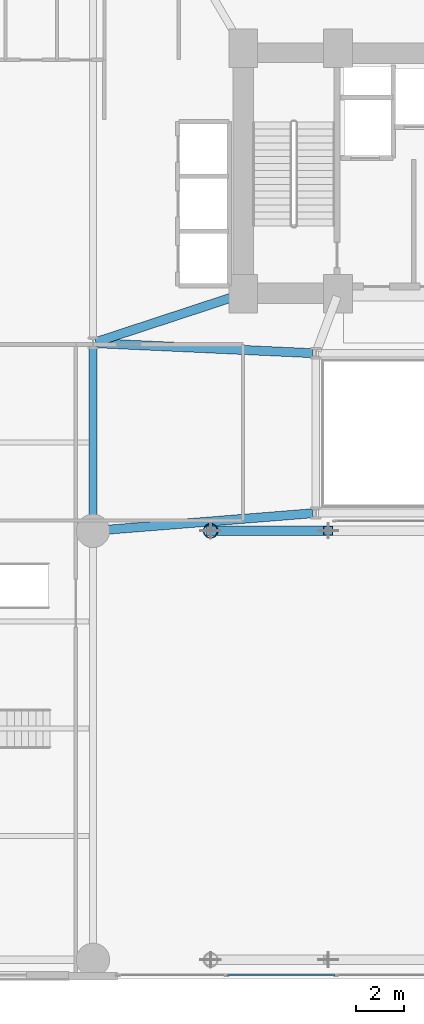
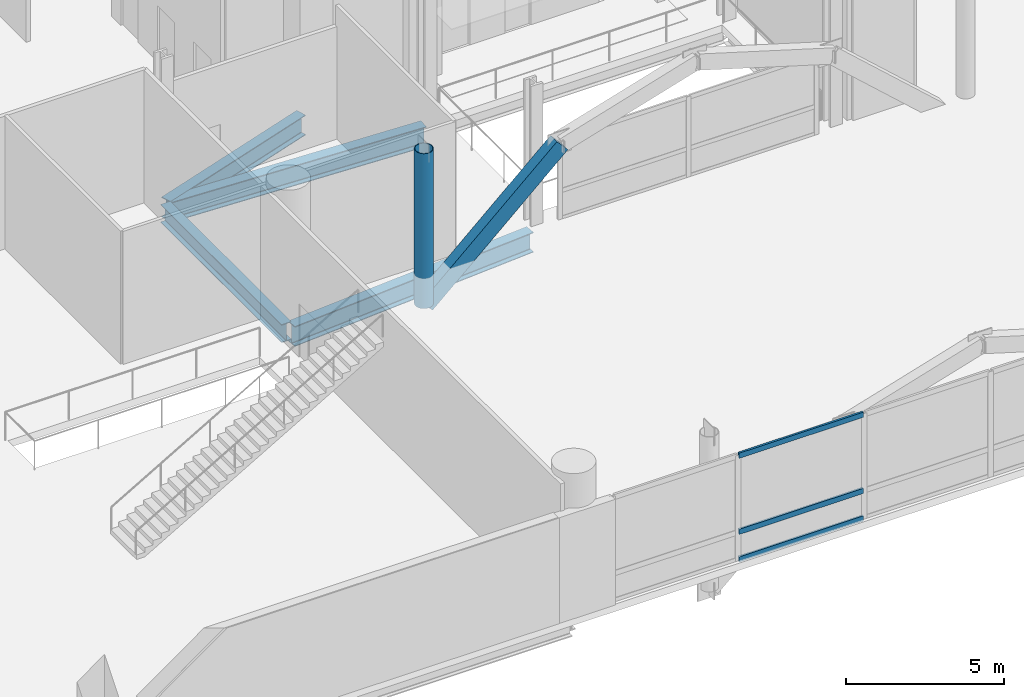
# One storey, part 11 of 36: 5 members, 4 beams, 1 element without a shape of its own.
"""IFC4 building model written with IfcOpenShell, lengths in metres."""

from ifc_helpers import new_model, si_unit, direction, frame, origin, origin_2d, place, context, subcontext, project, spatial, hollow_rectangle, hollow_circle, i_section, extrude, material, layer, layer_set, material_profile, profile_set, type_object, element, aggregate, save


model = new_model("IFC4")

# Units and contexts
model_context = context("Model", 3, precision=1e-05, world=origin(), true_north=direction((0.0, 1.0)))
body_context = subcontext(model_context, "Body", "Model", "MODEL_VIEW")
ifc_project = project(units=[si_unit("LENGTHUNIT", "METRE"), si_unit("AREAUNIT", "SQUARE_METRE"), si_unit("VOLUMEUNIT", "CUBIC_METRE"), si_unit("PLANEANGLEUNIT", "RADIAN"), si_unit("MASSUNIT", "GRAM", prefix="KILO")], contexts=[model_context])

# Site, building, storey
site_placement = place(None, origin())
site = spatial("IfcSite", under=ifc_project, at=site_placement, CompositionType="ELEMENT")
building_placement = place(site_placement, origin())
building = spatial("IfcBuilding", under=site, at=building_placement, Name="Varnelok Gate Tower", CompositionType="ELEMENT")
storey_placement = place(building_placement, frame((0.0, 0.0, 10.800048828125)))
storey = spatial("IfcBuildingStorey", under=building, at=storey_placement, Name="L02", CompositionType="ELEMENT", Elevation=10.800048828125)

# Beams
ifc_material_1 = material(Name="Structural Steel ASTM A992 Grade 50", Category="steel")
ifc_material_profile_1 = material_profile(ifc_material_1, i_section(OverallWidth=0.35498046875, OverallDepth=0.696044921875, WebThickness=0.015380859375, FlangeThickness=0.02490234375, FilletRadius=0.02001953125, at=origin_2d()), Name="W27X146")
ifc_profile_set_1 = profile_set([ifc_material_profile_1], Name="Structural Steel ASTM A992 Grade 50")
beam_type_1 = type_object("IfcBeamType", Name="BM-PRI-W27X146", PredefinedType="BEAM", material=ifc_profile_set_1)
beam_1_placement = place(storey_placement, frame((24.39990234375, 18.919921875, -0.6279296875), z_axis=(0.0, 1.0, 0.0), x_axis=(-1.0, 0.0, 0.0)))
element("IfcBeam", 1, at=beam_1_placement, inside=storey, type_object=beam_type_1, Name="L02 Core-Atrium Spine Beam 16", PredefinedType="BEAM", context=body_context, shape_type="SweptSolid", body=[
    extrude(i_section(OverallWidth=0.35498046875, OverallDepth=0.696044921875, WebThickness=0.015380859375, FlangeThickness=0.02490234375, FilletRadius=0.02001953125, at=origin_2d()), origin(), (0.0, 0.0, 1.0), 7.64013671875),
])
ifc_material_profile_2 = material_profile(ifc_material_1, i_section(OverallWidth=0.381103515625, OverallDepth=0.77294921875, WebThickness=0.0166015625, FlangeThickness=0.027099609375, FilletRadius=0.02197265625, at=origin_2d()), Name="W30X173")
ifc_profile_set_2 = profile_set([ifc_material_profile_2], Name="Structural Steel ASTM A992 Grade 50")
beam_type_2 = type_object("IfcBeamType", Name="BM-PRI-W30X173", PredefinedType="BEAM", material=ifc_profile_set_2)
beam_2_placement = place(storey_placement, frame((24.51953125, 18.8095703125, -0.66650390625), z_axis=(0.996799206292, 0.07994587128, 0.0), x_axis=(-0.07994587128, 0.996799206292, 0.0)))
element("IfcBeam", 2, at=beam_2_placement, inside=storey, type_object=beam_type_2, Name="L02 Core-Atrium Spine Beam 14", PredefinedType="BEAM", context=body_context, shape_type="SweptSolid", body=[
    extrude(i_section(OverallWidth=0.381103515625, OverallDepth=0.77294921875, WebThickness=0.0166015625, FlangeThickness=0.027099609375, FilletRadius=0.02197265625, at=origin_2d()), origin(), (0.0, 0.0, 1.0), 9.14013671875),
])
beam_3_placement = place(storey_placement, frame((24.52001953125, 26.674560546875, -0.66650390625), z_axis=(0.99894427814, -0.045938319209, 0.0), x_axis=(0.045938319209, 0.99894427814, 0.0)))
element("IfcBeam", 3, at=beam_3_placement, inside=storey, type_object=beam_type_2, Name="L02 Core-Atrium Spine Beam 15", PredefinedType="BEAM", context=body_context, shape_type="SweptSolid", body=[
    extrude(i_section(OverallWidth=0.381103515625, OverallDepth=0.77294921875, WebThickness=0.0166015625, FlangeThickness=0.027099609375, FilletRadius=0.02197265625, at=origin_2d()), origin(), (0.0, 0.0, 1.0), 9.11962890625),
])
beam_4_placement = place(storey_placement, frame((24.513916015625, 26.717529296875, -0.66650390625), z_axis=(0.950041943788, 0.312122259768, 0.0), x_axis=(-0.312122259768, 0.950041943788, 0.0)))
element("IfcBeam", 4, at=beam_4_placement, inside=storey, type_object=beam_type_2, Name="L02 Core-Atrium Spine Beam 17", PredefinedType="BEAM", context=body_context, shape_type="SweptSolid", body=[
    extrude(i_section(OverallWidth=0.381103515625, OverallDepth=0.77294921875, WebThickness=0.0166015625, FlangeThickness=0.027099609375, FilletRadius=0.02197265625, at=origin_2d()), origin(), (0.0, 0.0, 1.0), 6.391357421875),
])

# Curtain wall, members
ifc_material_2 = material(Name="Anodized Aluminum Alloy 6063-T6", Category="aluminium")
ifc_layer = layer(ifc_material_2, 0.179931640625)
ifc_layer_set = layer_set([ifc_layer], Name="Anodized Aluminum Alloy 6063-T6")
curtain_wall_type = type_object("IfcCurtainWallType", Name="CW1-ARCH-PORTAL", PredefinedType="USERDEFINED", material=ifc_layer_set)
curtain_wall_placement = place(storey_placement, origin())
curtain_wall = element("IfcCurtainWall", 5, at=curtain_wall_placement, inside=storey, type_object=curtain_wall_type, Name="L02 Giant Arch Portal Glazed Curtain Wall", ObjectType="UNITISED CURTAIN WALL", PredefinedType="USERDEFINED")
ifc_material_profile_3 = material_profile(ifc_material_2, hollow_rectangle(XDim=0.074951171875, YDim=0.199951171875, WallThickness=0.00390625, at=origin_2d()), Name="ALU200X75X4")
ifc_profile_set_3 = profile_set([ifc_material_profile_3], Name="Anodized Aluminum Alloy 6063-T6")
member_type_1 = type_object("IfcMemberType", Name="CW-TRAN-200", PredefinedType="USERDEFINED", material=ifc_profile_set_3)
member_1_placement = place(storey_placement, frame((34.5625, 0.159912109375, 0.037353515625), z_axis=(-1.0, 0.0, 0.0), x_axis=(0.0, -1.0, 0.0)))
member_1 = element("IfcMember", 6, at=member_1_placement, type_object=member_type_1, Name="CW1 transom 5.1", ObjectType="TRANSOM", PredefinedType="USERDEFINED", context=body_context, shape_type="SweptSolid", body=[
    extrude(hollow_rectangle(XDim=0.074951171875, YDim=0.199951171875, WallThickness=0.00390625, at=origin_2d()), origin(), (0.0, 0.0, 1.0), 4.52490234375),
])
member_2_placement = place(storey_placement, frame((34.5625, 0.159912109375, 1.099853515625), z_axis=(-1.0, 0.0, 0.0), x_axis=(0.0, -1.0, 0.0)))
member_2 = element("IfcMember", 7, at=member_2_placement, type_object=member_type_1, Name="CW1 transom 5.2", ObjectType="TRANSOM", PredefinedType="USERDEFINED", context=body_context, shape_type="SweptSolid", body=[
    extrude(hollow_rectangle(XDim=0.074951171875, YDim=0.199951171875, WallThickness=0.00390625, at=origin_2d()), origin(), (0.0, 0.0, 1.0), 4.52490234375),
])
member_3_placement = place(storey_placement, frame((34.5625, 0.159912109375, 4.032470703125), z_axis=(-1.0, 0.0, 0.0), x_axis=(0.0, -1.0, 0.0)))
member_3 = element("IfcMember", 8, at=member_3_placement, type_object=member_type_1, Name="CW1 transom 5.3", ObjectType="TRANSOM", PredefinedType="USERDEFINED", context=body_context, shape_type="SweptSolid", body=[
    extrude(hollow_rectangle(XDim=0.074951171875, YDim=0.199951171875, WallThickness=0.00390625, at=origin_2d()), origin(), (0.0, 0.0, 1.0), 4.52490234375),
])
aggregate(curtain_wall, [member_1, member_2, member_3])

# Members
ifc_material_3 = material(Name="Structural Steel ASTM A572 Grade 50", Category="steel")
ifc_material_profile_4 = material_profile(ifc_material_3, hollow_rectangle(XDim=0.39990234375, YDim=0.60009765625, WallThickness=0.02490234375, at=origin_2d()), Name="HSS600X400X25")
ifc_profile_set_4 = profile_set([ifc_material_profile_4], Name="Structural Steel ASTM A572 Grade 50")
member_type_2 = type_object("IfcMemberType", Name="MEM-ARCH-CHORD", PredefinedType="CHORD", material=ifc_profile_set_4)
member_4_placement = place(storey_placement, frame((29.333251953125, 18.800048828125, -1.166748046875), z_axis=(0.741782714935, 0.0, 0.670640293916), x_axis=(0.0, 1.0, 0.0)))
element("IfcMember", 9, at=member_4_placement, inside=storey, type_object=member_type_2, Name="Giant Arch Inner Chord Rib 2", PredefinedType="CHORD", context=body_context, shape_type="SweptSolid", body=[
    extrude(hollow_rectangle(XDim=0.39990234375, YDim=0.60009765625, WallThickness=0.02490234375, at=origin_2d()), origin(), (0.0, 0.0, 1.0), 6.650634765625),
])
ifc_material_profile_5 = material_profile(ifc_material_3, hollow_circle(Radius=0.304931640625, WallThickness=0.02490234375, at=origin_2d()), Name="CHS610X25")
ifc_profile_set_5 = profile_set([ifc_material_profile_5], Name="Structural Steel ASTM A572 Grade 50")
member_type_3 = type_object("IfcMemberType", Name="MEM-ARCH-DIAG", PredefinedType="BRACE", material=ifc_profile_set_5)
member_5_placement = place(storey_placement, frame((29.333251953125, 18.800048828125, -1.166748046875), z_axis=(0.0, 0.0, 1.0), x_axis=(1.0, 0.0, 0.0)))
element("IfcMember", 10, at=member_5_placement, inside=storey, type_object=member_type_3, Name="Giant Arch Spandrel Strut Inner 1", PredefinedType="BRACE", context=body_context, shape_type="SweptSolid", body=[
    extrude(hollow_circle(Radius=0.304931640625, WallThickness=0.02490234375, at=origin_2d()), origin(), (0.0, 0.0, 1.0), 5.966796875),
])

save(model, "model.ifc")
